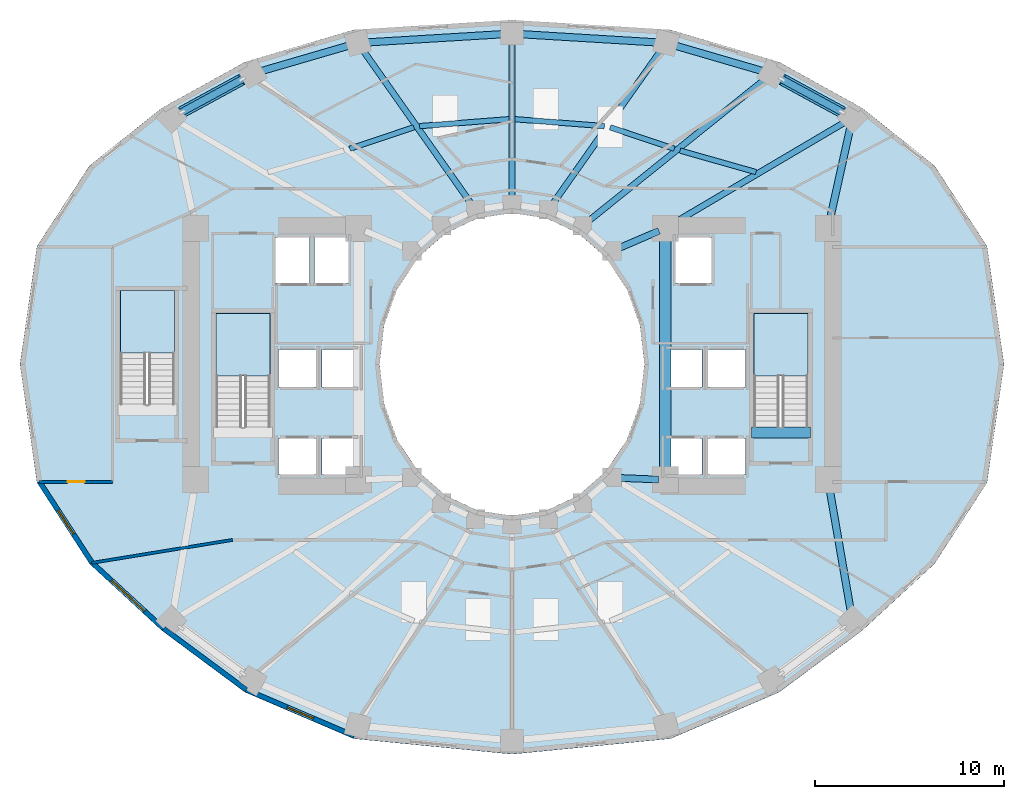
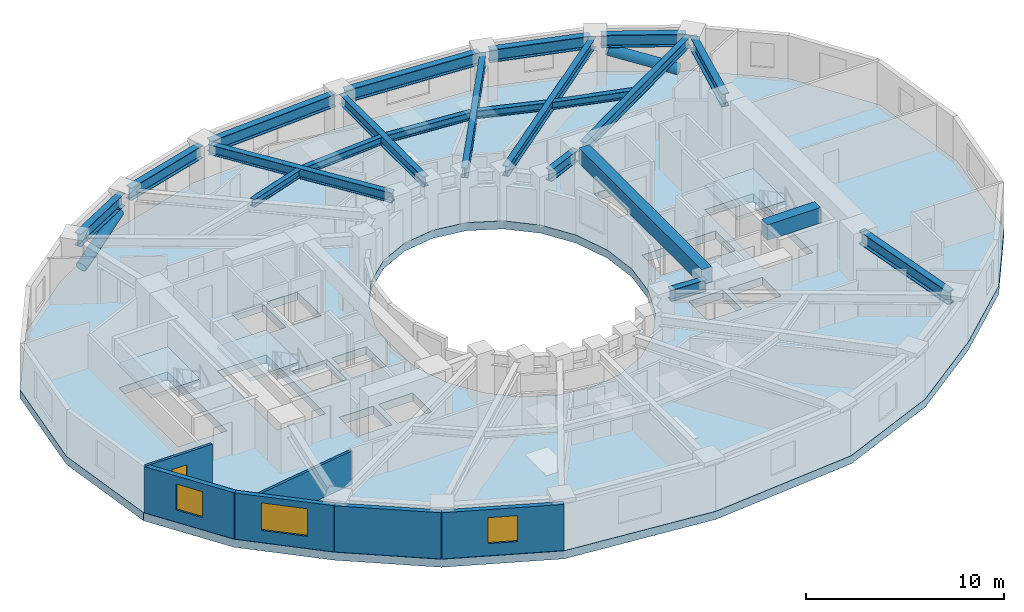
# One storey, part 2 of 9: 22 beams, 6 walls, 4 slabs, 3 windows, 2 members, 1 door, 4 openings, 3 elements without a shape of their own.
"""IFC4 building model written with IfcOpenShell, lengths in metres."""

from ifc_helpers import new_model, si_unit, direction, frame, frame_2d, origin, origin_2d, place, context, subcontext, project, spatial, polyline, rectangle, hollow_circle, i_section, outline, extrude, material, layer, layer_set, material_profile, profile_set, type_object, element, fill, aggregate, save


model = new_model("IFC4")

# Units and contexts
model_context = context("Model", 3, precision=1e-05, world=origin(), true_north=direction((0.0, 1.0)))
body_context = subcontext(model_context, "Body", "Model", "MODEL_VIEW")
ifc_project = project(units=[si_unit("LENGTHUNIT", "METRE"), si_unit("AREAUNIT", "SQUARE_METRE"), si_unit("VOLUMEUNIT", "CUBIC_METRE"), si_unit("PLANEANGLEUNIT", "RADIAN"), si_unit("MASSUNIT", "GRAM", prefix="KILO")], contexts=[model_context])

# Site, building, storey
site_placement = place(None, origin())
site = spatial("IfcSite", under=ifc_project, at=site_placement, CompositionType="ELEMENT")
building_placement = place(site_placement, origin())
building = spatial("IfcBuilding", under=site, at=building_placement, Name="Solvane Sanctuary Tower", CompositionType="ELEMENT")
storey_placement = place(building_placement, frame((0.0, 0.0, 55.5)))
storey = spatial("IfcBuildingStorey", under=building, at=storey_placement, Name="L16", CompositionType="ELEMENT", Elevation=55.5)

# Beams
ifc_material_1 = material(Name="Concrete C70/85", Category="concrete")
ifc_material_profile_1 = material_profile(ifc_material_1, rectangle(XDim=0.60009765625, YDim=0.949951171875, at=origin_2d()), Name="RC600X950")
ifc_profile_set_1 = profile_set([ifc_material_profile_1], Name="Concrete C70/85")
beam_type_1 = type_object("IfcBeamType", Name="Beam B-COUPLE RC600X950", PredefinedType="LINTEL", material=ifc_profile_set_1)
beam_1_placement = place(storey_placement, frame((40.10009765625, 17.35009765625, 2.625), z_axis=(0.0, 1.0, 0.0), x_axis=(-1.0, 0.0, 0.0)))
element("IfcBeam", 1, at=beam_1_placement, inside=storey, type_object=beam_type_1, Name="L16 East Core Coupling Lintel", PredefinedType="LINTEL", context=body_context, shape_type="SweptSolid", body=[
    extrude(rectangle(XDim=0.60009765625, YDim=0.949951171875, at=origin_2d()), origin(), (0.0, 0.0, 1.0), 12.39990234375),
])
beam_2_placement = place(storey_placement, frame((44.64990234375, 19.399169921875, 2.625), z_axis=(1.0, 0.0, 0.0), x_axis=(0.0, 1.0, 0.0)))
element("IfcBeam", 2, at=beam_2_placement, inside=storey, type_object=beam_type_1, Name="L16 ST-2 Stair Floor Landing Trimmer", PredefinedType="LINTEL", context=body_context, shape_type="SweptSolid", body=[
    extrude(rectangle(XDim=0.60009765625, YDim=0.949951171875, at=origin_2d()), origin(), (0.0, 0.0, 1.0), 3.1201171875),
])
ifc_material_2 = material(Name="Steel ASTM A992 Grade 50", Category="steel")
ifc_material_profile_2 = material_profile(ifc_material_2, i_section(OverallWidth=0.323974609375, OverallDepth=0.611083984375, WebThickness=0.0126953125, FlangeThickness=0.01904296875, FilletRadius=0.01611328125, at=origin_2d()), Name="W24X104")
ifc_profile_set_2 = profile_set([ifc_material_profile_2], Name="Steel ASTM A992 Grade 50")
beam_type_2 = type_object("IfcBeamType", Name="Beam B-RAD-Z1 W24X104", PredefinedType="BEAM", material=ifc_profile_set_2)
beam_3_placement = place(storey_placement, frame((40.41015625, 30.3828125, 2.572509765625), z_axis=(0.861291129905, 0.508111788435, 0.0), x_axis=(-0.508111788435, 0.861291129905, 0.0)))
element("IfcBeam", 3, at=beam_3_placement, inside=storey, type_object=beam_type_2, Name="L16 Radial Composite Floor Beam 01", PredefinedType="BEAM", context=body_context, shape_type="SweptSolid", body=[
    extrude(i_section(OverallWidth=0.323974609375, OverallDepth=0.611083984375, WebThickness=0.0126953125, FlangeThickness=0.01904296875, FilletRadius=0.01611328125, at=origin_2d()), origin(), (0.0, 0.0, 1.0), 10.844482421875),
])
beam_4_placement = place(storey_placement, frame((35.9482421875, 30.501953125, 2.572509765625), z_axis=(0.779526985436, 0.626368644631, 0.0), x_axis=(-0.626368644631, 0.779526985436, 0.0)))
element("IfcBeam", 4, at=beam_4_placement, inside=storey, type_object=beam_type_2, Name="L16 Radial Composite Floor Beam 02", PredefinedType="BEAM", context=body_context, shape_type="SweptSolid", body=[
    extrude(i_section(OverallWidth=0.323974609375, OverallDepth=0.611083984375, WebThickness=0.0126953125, FlangeThickness=0.01904296875, FilletRadius=0.01611328125, at=origin_2d()), origin(), (0.0, 0.0, 1.0), 12.2646484375),
])
beam_5_placement = place(storey_placement, frame((34.092041015625, 31.400390625, 2.572509765625), z_axis=(0.576233115666, 0.817285382476, 0.0), x_axis=(-0.817285382476, 0.576233115666, 0.0)))
element("IfcBeam", 5, at=beam_5_placement, inside=storey, type_object=beam_type_2, Name="L16 Radial Composite Floor Beam 03", PredefinedType="BEAM", context=body_context, shape_type="SweptSolid", body=[
    extrude(i_section(OverallWidth=0.323974609375, OverallDepth=0.611083984375, WebThickness=0.0126953125, FlangeThickness=0.01904296875, FilletRadius=0.01611328125, at=origin_2d()), origin(), (0.0, 0.0, 1.0), 10.224365234375),
])
beam_6_placement = place(storey_placement, frame((32.0, 31.739990234375, 2.572509765625), z_axis=(0.0, 1.0, 0.0), x_axis=(-1.0, 0.0, 0.0)))
element("IfcBeam", 6, at=beam_6_placement, inside=storey, type_object=beam_type_2, Name="L16 Radial Composite Floor Beam 04", PredefinedType="BEAM", context=body_context, shape_type="SweptSolid", body=[
    extrude(i_section(OverallWidth=0.323974609375, OverallDepth=0.611083984375, WebThickness=0.0126953125, FlangeThickness=0.01904296875, FilletRadius=0.01611328125, at=origin_2d()), origin(), (0.0, 0.0, 1.0), 8.4599609375),
])
beam_7_placement = place(storey_placement, frame((29.907958984375, 31.400390625, 2.572509765625), z_axis=(-0.576233115666, 0.817285382476, 0.0), x_axis=(-0.817285382476, -0.576233115666, 0.0)))
element("IfcBeam", 7, at=beam_7_placement, inside=storey, type_object=beam_type_2, Name="L16 Radial Composite Floor Beam 05", PredefinedType="BEAM", context=body_context, shape_type="SweptSolid", body=[
    extrude(i_section(OverallWidth=0.323974609375, OverallDepth=0.611083984375, WebThickness=0.0126953125, FlangeThickness=0.01904296875, FilletRadius=0.01611328125, at=origin_2d()), origin(), (0.0, 0.0, 1.0), 10.224365234375),
])
ifc_material_profile_3 = material_profile(ifc_material_2, i_section(OverallWidth=0.35498046875, OverallDepth=0.695068359375, WebThickness=0.015380859375, FlangeThickness=0.02490234375, FilletRadius=0.01806640625, at=origin_2d()), Name="W27X146")
ifc_profile_set_3 = profile_set([ifc_material_profile_3], Name="Steel ASTM A992 Grade 50")
beam_type_3 = type_object("IfcBeamType", Name="Beam B-RING-IN1 W27X146", PredefinedType="BEAM", material=ifc_profile_set_3)
beam_8_placement = place(storey_placement, frame((37.70654296875, 29.168212890625, 2.530517578125), z_axis=(0.918277080365, 0.395938383687, 0.0), x_axis=(-0.395938383687, 0.918277080365, 0.0)))
element("IfcBeam", 8, at=beam_8_placement, inside=storey, type_object=beam_type_3, Name="L16 Inner Light-Well Ring Beam IC01-CE4", PredefinedType="BEAM", context=body_context, shape_type="SweptSolid", body=[
    extrude(i_section(OverallWidth=0.35498046875, OverallDepth=0.695068359375, WebThickness=0.015380859375, FlangeThickness=0.02490234375, FilletRadius=0.01806640625, at=origin_2d()), origin(), (0.0, 0.0, 1.0), 2.246337890625),
])
beam_9_placement = place(storey_placement, frame((37.74462890625, 16.998291015625, 2.530517578125), z_axis=(0.999130953379, -0.041681386726, 0.0), x_axis=(0.041681386726, 0.999130953379, 0.0)))
element("IfcBeam", 9, at=beam_9_placement, inside=storey, type_object=beam_type_3, Name="L16 Inner Light-Well Ring Beam IC14-CE1", PredefinedType="BEAM", context=body_context, shape_type="SweptSolid", body=[
    extrude(i_section(OverallWidth=0.35498046875, OverallDepth=0.695068359375, WebThickness=0.015380859375, FlangeThickness=0.02490234375, FilletRadius=0.01806640625, at=origin_2d()), origin(), (0.0, 0.0, 1.0), 1.997314453125),
])
ifc_material_profile_4 = material_profile(ifc_material_2, i_section(OverallWidth=0.280029296875, OverallDepth=0.462890625, WebThickness=0.0107421875, FlangeThickness=0.017333984375, FilletRadius=0.013916015625, at=origin_2d()), Name="W18X76")
ifc_profile_set_4 = profile_set([ifc_material_profile_4], Name="Steel ASTM A992 Grade 50")
beam_type_4 = type_object("IfcBeamType", Name="Beam B-SEC-JOIST W18X76", PredefinedType="JOIST", material=ifc_profile_set_4)
beam_10_placement = place(storey_placement, frame((23.42041015625, 34.392822265625, 2.646484375), z_axis=(0.948259393162, 0.317496650816, 0.0), x_axis=(-0.317496650816, 0.948259393162, 0.0)))
element("IfcBeam", 10, at=beam_10_placement, inside=storey, type_object=beam_type_4, Name="L16 Secondary Circumferential Joist 06-05", PredefinedType="JOIST", context=body_context, shape_type="SweptSolid", body=[
    extrude(i_section(OverallWidth=0.280029296875, OverallDepth=0.462890625, WebThickness=0.0107421875, FlangeThickness=0.017333984375, FilletRadius=0.013916015625, at=origin_2d()), origin(), (0.0, 0.0, 1.0), 3.577880859375),
])
for number, where, z_axis, x_axis, name in (
    (11, (27.11865234375, 35.5908203125, 2.646484375), (0.996997851194, 0.077429223911, 0.0), (-0.077429223911, 0.996997851194, 0.0), "L16 Secondary Circumferential Joist 05-04"),
    (12, (32.156494140625, 35.957763671875, 2.646484375), (0.996997851194, -0.077429223911, 0.0), (0.077429223911, 0.996997851194, 0.0), "L16 Secondary Circumferential Joist 04-03"),
):
    element("IfcBeam", number, at=place(storey_placement, frame(where, z_axis=z_axis, x_axis=x_axis)), inside=storey, type_object=beam_type_4, Name=name, PredefinedType="JOIST", context=body_context, shape_type="SweptSolid", body=[
        extrude(i_section(OverallWidth=0.280029296875, OverallDepth=0.462890625, WebThickness=0.0107421875, FlangeThickness=0.017333984375, FilletRadius=0.013916015625, at=origin_2d()), origin(), (0.0, 0.0, 1.0), 4.739013671875),
    ])
beam_11_placement = place(storey_placement, frame((37.186767578125, 35.52880859375, 2.646484375), z_axis=(0.948259393162, -0.317496650816, 0.0), x_axis=(0.317496650816, 0.948259393162, 0.0)))
element("IfcBeam", 13, at=beam_11_placement, inside=storey, type_object=beam_type_4, Name="L16 Secondary Circumferential Joist 03-02", PredefinedType="JOIST", context=body_context, shape_type="SweptSolid", body=[
    extrude(i_section(OverallWidth=0.280029296875, OverallDepth=0.462890625, WebThickness=0.0107421875, FlangeThickness=0.017333984375, FilletRadius=0.013916015625, at=origin_2d()), origin(), (0.0, 0.0, 1.0), 3.577880859375),
])
beam_12_placement = place(storey_placement, frame((40.879638671875, 34.300048828125, 2.646484375), z_axis=(0.962003645121, -0.273036603358, 0.0), x_axis=(0.273036603358, 0.962003645121, 0.0)))
element("IfcBeam", 14, at=beam_12_placement, inside=storey, type_object=beam_type_4, Name="L16 Secondary Circumferential Joist 02-01", PredefinedType="JOIST", context=body_context, shape_type="SweptSolid", body=[
    extrude(i_section(OverallWidth=0.280029296875, OverallDepth=0.462890625, WebThickness=0.0107421875, FlangeThickness=0.017333984375, FilletRadius=0.013916015625, at=origin_2d()), origin(), (0.0, 0.0, 1.0), 4.174072265625),
])
ifc_material_profile_5 = material_profile(ifc_material_2, i_section(OverallWidth=0.382080078125, OverallDepth=0.779052734375, WebThickness=0.01806640625, FlangeThickness=0.030029296875, FilletRadius=0.02001953125, at=origin_2d()), Name="W30X191")
ifc_profile_set_5 = profile_set([ifc_material_profile_5], Name="Steel ASTM A992 Grade 50")
beam_type_5 = type_object("IfcBeamType", Name="Beam B-SPAND-Z1 W30X191", PredefinedType="SPANDREL", material=ifc_profile_set_5)
beam_13_placement = place(storey_placement, frame((14.254150390625, 36.169189453125, 2.488525390625), z_axis=(0.878060556078, 0.478549537519, 0.0), x_axis=(-0.478549537519, 0.878060556078, 0.0)))
element("IfcBeam", 15, at=beam_13_placement, inside=storey, type_object=beam_type_5, Name="L16 Perimeter Spandrel Beam TC07-TC06", PredefinedType="SPANDREL", context=body_context, shape_type="SweptSolid", body=[
    extrude(i_section(OverallWidth=0.382080078125, OverallDepth=0.779052734375, WebThickness=0.01806640625, FlangeThickness=0.030029296875, FilletRadius=0.02001953125, at=origin_2d()), origin(), (0.0, 0.0, 1.0), 4.296630859375),
])
beam_14_placement = place(storey_placement, frame((18.54150390625, 38.437744140625, 2.488525390625), z_axis=(0.960096217722, 0.279669899553, 0.0), x_axis=(-0.279669899553, 0.960096217722, 0.0)))
element("IfcBeam", 16, at=beam_14_placement, inside=storey, type_object=beam_type_5, Name="L16 Perimeter Spandrel Beam TC06-TC05", PredefinedType="SPANDREL", context=body_context, shape_type="SweptSolid", body=[
    extrude(i_section(OverallWidth=0.382080078125, OverallDepth=0.779052734375, WebThickness=0.01806640625, FlangeThickness=0.030029296875, FilletRadius=0.02001953125, at=origin_2d()), origin(), (0.0, 0.0, 1.0), 5.25439453125),
])
for number, where, z_axis, x_axis, name in (
    (17, (24.134521484375, 40.00244140625, 2.488525390625), (0.998162966989, 0.060586230553, 0.0), (-0.060586230553, 0.998162966989, 0.0), "L16 Perimeter Spandrel Beam TC05-TC04"),
    (18, (32.279541015625, 40.462890625, 2.488525390625), (0.998162966989, -0.060586230553, 0.0), (0.060586230553, 0.998162966989, 0.0), "L16 Perimeter Spandrel Beam TC04-TC03"),
):
    element("IfcBeam", number, at=place(storey_placement, frame(where, z_axis=z_axis, x_axis=x_axis)), inside=storey, type_object=beam_type_5, Name=name, PredefinedType="SPANDREL", context=body_context, shape_type="SweptSolid", body=[
        extrude(i_section(OverallWidth=0.382080078125, OverallDepth=0.779052734375, WebThickness=0.01806640625, FlangeThickness=0.030029296875, FilletRadius=0.02001953125, at=origin_2d()), origin(), (0.0, 0.0, 1.0), 7.599853515625),
    ])
beam_15_placement = place(storey_placement, frame((40.413818359375, 39.9072265625, 2.488525390625), z_axis=(0.960096217722, -0.279669899553, 0.0), x_axis=(0.279669899553, 0.960096217722, 0.0)))
element("IfcBeam", 19, at=beam_15_placement, inside=storey, type_object=beam_type_5, Name="L16 Perimeter Spandrel Beam TC03-TC02", PredefinedType="SPANDREL", context=body_context, shape_type="SweptSolid", body=[
    extrude(i_section(OverallWidth=0.382080078125, OverallDepth=0.779052734375, WebThickness=0.01806640625, FlangeThickness=0.030029296875, FilletRadius=0.02001953125, at=origin_2d()), origin(), (0.0, 0.0, 1.0), 5.25439453125),
])
beam_16_placement = place(storey_placement, frame((45.97314453125, 38.225341796875, 2.488525390625), z_axis=(0.878060556078, -0.478549537519, 0.0), x_axis=(0.478549537519, 0.878060556078, 0.0)))
element("IfcBeam", 20, at=beam_16_placement, inside=storey, type_object=beam_type_5, Name="L16 Perimeter Spandrel Beam TC02-TC01", PredefinedType="SPANDREL", context=body_context, shape_type="SweptSolid", body=[
    extrude(i_section(OverallWidth=0.382080078125, OverallDepth=0.779052734375, WebThickness=0.01806640625, FlangeThickness=0.030029296875, FilletRadius=0.02001953125, at=origin_2d()), origin(), (0.0, 0.0, 1.0), 4.296630859375),
])
beam_17_placement = place(storey_placement, frame((49.93115234375, 35.761962890625, 2.488525390625), z_axis=(-0.216123846648, -0.976365957472, 0.0), x_axis=(0.976365957472, -0.216123846648, 0.0)))
element("IfcBeam", 21, at=beam_17_placement, inside=storey, type_object=beam_type_5, Name="L16 Perimeter Spandrel Beam TC01-CE3", PredefinedType="SPANDREL", context=body_context, shape_type="SweptSolid", body=[
    extrude(i_section(OverallWidth=0.382080078125, OverallDepth=0.779052734375, WebThickness=0.01806640625, FlangeThickness=0.030029296875, FilletRadius=0.02001953125, at=origin_2d()), origin(), (0.0, 0.0, 1.0), 5.41650390625),
])
beam_18_placement = place(storey_placement, frame((49.94384765625, 9.722412109375, 2.488525390625), z_axis=(-0.170754238709, 0.985313650551, 0.0), x_axis=(-0.985313650551, -0.170754238709, 0.0)))
element("IfcBeam", 22, at=beam_18_placement, inside=storey, type_object=beam_type_5, Name="L16 Perimeter Spandrel Beam TC14-CE2", PredefinedType="SPANDREL", context=body_context, shape_type="SweptSolid", body=[
    extrude(i_section(OverallWidth=0.382080078125, OverallDepth=0.779052734375, WebThickness=0.01806640625, FlangeThickness=0.030029296875, FilletRadius=0.02001953125, at=origin_2d()), origin(), (0.0, 0.0, 1.0), 7.00439453125),
])

# Members
ifc_material_profile_6 = material_profile(ifc_material_2, hollow_circle(Radius=0.304931640625, WallThickness=0.01611328125, at=origin_2d()), Name="CHS610X16")
ifc_profile_set_6 = profile_set([ifc_material_profile_6], Name="Steel ASTM A992 Grade 50")
member_type = type_object("IfcMemberType", Name="Member M-TUBE-Z1 CHS610X16", PredefinedType="BRACE", material=ifc_profile_set_6)
for number, where, z_axis, x_axis, name in (
    (23, (49.43408203125, 36.339111328125, 0.604736328125), (-0.827739985201, 0.451112238875, 0.333682880648), (-0.478539548862, -0.878065999897, 0.0), "L16 Perimeter Braced-Tube Diagonal NE"),
    (24, (14.56591796875, 36.339111328125, 0.604736328125), (0.827739985201, 0.451112238875, 0.333682880648), (-0.478539548862, 0.878065999897, 0.0), "L16 Perimeter Braced-Tube Diagonal NW"),
):
    element("IfcMember", number, at=place(storey_placement, frame(where, z_axis=z_axis, x_axis=x_axis)), inside=storey, type_object=member_type, Name=name, PredefinedType="BRACE", context=body_context, shape_type="SweptSolid", body=[
        extrude(hollow_circle(Radius=0.304931640625, WallThickness=0.01611328125, at=origin_2d()), origin(), (0.0, 0.0, 1.0), 3.831787109375),
    ])

# Stair, slab
ifc_material_3 = material(Name="Concrete C45/55", Category="concrete")
stair_type = type_object("IfcStairType", Name="Stair ST-TOW", PredefinedType="HALF_TURN_STAIR", material=ifc_material_3)
stair_1_placement = place(storey_placement, origin())
stair_1 = element("IfcStair", 25, at=stair_1_placement, inside=storey, type_object=stair_type, Name="L16 Exit Stair ST-1 West Core", PredefinedType="HALF_TURN_STAIR")
ifc_layer_1 = layer(ifc_material_3, 0.199951171875, Name="Concrete C45/55")
ifc_layer_set_1 = layer_set([ifc_layer_1], Name="Concrete C45/55")
slab_type_1 = type_object("IfcSlabType", Name="Slab SL-LAND-180", PredefinedType="LANDING", material=ifc_layer_set_1)
slab_1_placement = place(storey_placement, frame((0.0, 0.0, 1.35009765625)))
slab_1 = element("IfcSlab", 26, at=slab_1_placement, type_object=slab_type_1, Name="ST-1 landing 1", PredefinedType="LANDING", context=body_context, shape_type="SweptSolid", body=[
    extrude(outline(polyline([(19.219970703125, 22.39990234375), (19.219970703125, 25.699951171875), (16.360107421875, 25.699951171875), (16.360107421875, 22.39990234375), (19.219970703125, 22.39990234375)])), origin(), (0.0, 0.0, 1.0), 0.199951171875),
])
aggregate(stair_1, [slab_1])

stair_2_placement = place(storey_placement, origin())
stair_2 = element("IfcStair", 27, at=stair_2_placement, inside=storey, type_object=stair_type, Name="L16 Exit Stair ST-2 East Core", PredefinedType="HALF_TURN_STAIR")
slab_2_placement = place(storey_placement, frame((0.0, 0.0, 1.35009765625)))
slab_2 = element("IfcSlab", 28, at=slab_2_placement, type_object=slab_type_1, Name="ST-2 landing 1", PredefinedType="LANDING", context=body_context, shape_type="SweptSolid", body=[
    extrude(outline(polyline([(47.639892578125, 22.39990234375), (47.639892578125, 25.699951171875), (44.780029296875, 25.699951171875), (44.780029296875, 22.39990234375), (47.639892578125, 22.39990234375)])), origin(), (0.0, 0.0, 1.0), 0.199951171875),
])
aggregate(stair_2, [slab_2])

stair_3_placement = place(storey_placement, origin())
stair_3 = element("IfcStair", 29, at=stair_3_placement, inside=storey, type_object=stair_type, Name="L16 Exit Stair ST-3 Pilgrim Tower Stair", PredefinedType="HALF_TURN_STAIR")
slab_3_placement = place(storey_placement, frame((0.0, 0.0, 1.35009765625)))
slab_3 = element("IfcSlab", 30, at=slab_3_placement, type_object=slab_type_1, Name="ST-3 landing 1", PredefinedType="LANDING", context=body_context, shape_type="SweptSolid", body=[
    extrude(outline(polyline([(14.159912109375, 23.60009765625), (14.159912109375, 26.89990234375), (11.300048828125, 26.89990234375), (11.300048828125, 23.60009765625), (14.159912109375, 23.60009765625)])), origin(), (0.0, 0.0, 1.0), 0.199951171875),
])
aggregate(stair_3, [slab_3])

# Slab
ifc_material_4 = material(Name="Concrete C60/75", Category="concrete")
ifc_layer_2 = layer(ifc_material_4, 0.5, Name="Concrete C60/75")
ifc_layer_set_2 = layer_set([ifc_layer_2], Name="Concrete C60/75")
slab_type_2 = type_object("IfcSlabType", Name="Slab SL-XFER-500", PredefinedType="FLOOR", material=ifc_layer_set_2)
slab_4_placement = place(storey_placement, frame((0.0, 0.0, -0.5)))
element("IfcSlab", 31, at=slab_4_placement, inside=storey, type_object=slab_type_2, Name="L16 Primary Structural Slab", PredefinedType="FLOOR", context=body_context, shape_type="SweptSolid", body=[
    extrude(outline(polyline([(58.0, 23.0), (57.101806640625, 29.25048828125), (54.31396484375, 33.516845703125), (50.504150390625, 36.547607421875), (46.1181640625, 38.977294921875), (40.376708984375, 40.6806640625), (32.0, 41.199951171875), (23.623291015625, 40.6806640625), (17.8818359375, 38.977294921875), (13.495849609375, 36.547607421875), (9.68603515625, 33.516845703125), (6.898193359375, 29.25048828125), (6.0, 23.0), (6.898193359375, 16.74951171875), (9.68603515625, 12.4482421875), (13.495849609375, 8.933837890625), (17.8818359375, 5.677978515625), (23.623291015625, 3.22119140625), (32.0, 2.39990234375), (40.376708984375, 3.22119140625), (46.1181640625, 5.677978515625), (50.504150390625, 8.933837890625), (54.31396484375, 12.4482421875), (57.101806640625, 16.74951171875), (58.0, 23.0)]), holes=[polyline([(38.761474609375, 20.929443359375), (38.062255859375, 19.0), (36.94970703125, 17.343017578125), (35.5, 16.07177734375), (33.811767578125, 15.272705078125), (32.0, 15.0), (30.188232421875, 15.272705078125), (28.5, 16.07177734375), (27.05029296875, 17.343017578125), (25.937744140625, 19.0), (25.238525390625, 20.929443359375), (25.0, 23.0), (25.238525390625, 25.070556640625), (25.937744140625, 27.0), (27.05029296875, 28.656982421875), (28.5, 29.92822265625), (30.188232421875, 30.727294921875), (32.0, 31.0), (33.811767578125, 30.727294921875), (35.5, 29.92822265625), (36.94970703125, 28.656982421875), (38.062255859375, 27.0), (38.761474609375, 25.070556640625), (39.0, 23.0), (38.761474609375, 20.929443359375)]), polyline([(16.360107421875, 19.699951171875), (16.360107421875, 25.699951171875), (19.219970703125, 25.699951171875), (19.219970703125, 19.699951171875), (16.360107421875, 19.699951171875)]), polyline([(44.780029296875, 19.699951171875), (44.780029296875, 25.699951171875), (47.639892578125, 25.699951171875), (47.639892578125, 19.699951171875), (44.780029296875, 19.699951171875)]), polyline([(11.300048828125, 20.89990234375), (11.300048828125, 26.89990234375), (14.159912109375, 26.89990234375), (14.159912109375, 20.89990234375), (11.300048828125, 20.89990234375)]), polyline([(19.64990234375, 19.080078125), (21.64990234375, 19.080078125), (21.64990234375, 17.179931640625), (19.64990234375, 17.179931640625), (19.64990234375, 19.080078125)]), polyline([(21.949951171875, 19.080078125), (23.949951171875, 19.080078125), (23.949951171875, 17.179931640625), (21.949951171875, 17.179931640625), (21.949951171875, 19.080078125)]), polyline([(40.050048828125, 19.080078125), (42.050048828125, 19.080078125), (42.050048828125, 17.179931640625), (40.050048828125, 17.179931640625), (40.050048828125, 19.080078125)]), polyline([(42.35009765625, 19.080078125), (44.35009765625, 19.080078125), (44.35009765625, 17.179931640625), (42.35009765625, 17.179931640625), (42.35009765625, 19.080078125)]), polyline([(19.64990234375, 23.800048828125), (21.64990234375, 23.800048828125), (21.64990234375, 21.800048828125), (19.64990234375, 21.800048828125), (19.64990234375, 23.800048828125)]), polyline([(42.35009765625, 23.800048828125), (44.35009765625, 23.800048828125), (44.35009765625, 21.800048828125), (42.35009765625, 21.800048828125), (42.35009765625, 23.800048828125)]), polyline([(21.949951171875, 23.800048828125), (23.949951171875, 23.800048828125), (23.949951171875, 21.800048828125), (21.949951171875, 21.800048828125), (21.949951171875, 23.800048828125)]), polyline([(40.050048828125, 23.800048828125), (42.050048828125, 23.800048828125), (42.050048828125, 21.800048828125), (40.050048828125, 21.800048828125), (40.050048828125, 23.800048828125)]), polyline([(19.5, 29.699951171875), (21.300048828125, 29.699951171875), (21.300048828125, 27.300048828125), (19.5, 27.300048828125), (19.5, 29.699951171875)]), polyline([(21.550048828125, 29.699951171875), (23.35009765625, 29.699951171875), (23.35009765625, 27.300048828125), (21.550048828125, 27.300048828125), (21.550048828125, 29.699951171875)]), polyline([(40.64990234375, 29.699951171875), (42.550048828125, 29.699951171875), (42.550048828125, 27.300048828125), (40.64990234375, 27.300048828125), (40.64990234375, 29.699951171875)])]), origin(), (0.0, 0.0, 1.0), 0.5),
])

# Wall, opening, door
ifc_material_5 = material(Name="Acoustic Gypsum Partition Board")
ifc_layer_3 = layer(ifc_material_5, 0.14990234375, Name="Acoustic Gypsum Partition Board")
ifc_layer_set_3 = layer_set([ifc_layer_3], Name="Acoustic Gypsum Partition Board")
wall_type_1 = type_object("IfcWallType", Name="Wall W-CORR-150", PredefinedType="PARTITIONING", material=ifc_layer_set_3)
wall_1_placement = place(storey_placement, frame((7.013671875, 16.788330078125, 0.0), z_axis=(0.0, 0.0, 1.0), x_axis=(1.0, 0.0, 0.0)))
wall_1 = element("IfcWall", 32, at=wall_1_placement, inside=storey, type_object=wall_type_1, Name="L16 West Shoulder South Wall", PredefinedType="PARTITIONING", context=body_context, shape_type="SweptSolid", body=[
    extrude(rectangle(XDim=3.8662109375, YDim=0.14990234375, at=frame_2d((1.93310546875, 0.0))), origin(), (0.0, 0.0, 1.0), 2.85498046875),
])
opening_1_placement = place(wall_1_placement, frame((1.503173828125, 0.0, 0.0)))
opening_1 = element("IfcOpeningElement", 33, at=opening_1_placement, cuts=wall_1, Name="Opening D-L16-10", PredefinedType="OPENING", context=body_context, shape_type="SweptSolid", body=[
    extrude(rectangle(XDim=0.89990234375, YDim=2.10009765625, at=frame_2d((0.449951171875, 1.050048828125))), frame((0.0, 0.0849609375, 0.0), z_axis=(0.0, -1.0, 0.0), x_axis=(1.0, 0.0, 0.0)), (0.0, 0.0, 1.0), 0.169921875),
])
ifc_material_6 = material(Name="Engineered Tropical Hardwood", Category="wood")
door_type = type_object("IfcDoorType", Name="Door D-WET-900", OperationType="NOTDEFINED", PredefinedType="DOOR", material=ifc_material_6)
door_placement = place(opening_1_placement, origin())
door = element("IfcDoor", 34, at=door_placement, inside=storey, type_object=door_type, Name="L16 West Shoulder South Door", OperationType="SINGLE_SWING_RIGHT", OverallHeight=2.10009765625, OverallWidth=0.89990234375, PredefinedType="DOOR", context=body_context, shape_type="SweptSolid", body=[
    extrude(rectangle(XDim=0.89990234375, YDim=2.10009765625, at=frame_2d((0.449951171875, 1.050048828125))), frame((0.0, 0.02490234375, 0.0), z_axis=(0.0, -1.0, 0.0), x_axis=(1.0, 0.0, 0.0)), (0.0, 0.0, 1.0), 0.050048828125),
])
fill(opening_1, door)

# Wall
wall_2_placement = place(storey_placement, frame((17.249267578125, 13.72802734375, 0.0), z_axis=(0.0, 0.0, 1.0), x_axis=(-0.98693078372, -0.161144742846, 0.0)))
element("IfcWall", 35, at=wall_2_placement, inside=storey, type_object=wall_type_1, Name="L16 SW Corner Wing Wall", PredefinedType="PARTITIONING", context=body_context, shape_type="SweptSolid", body=[
    extrude(rectangle(XDim=7.55712890625, YDim=0.14990234375, at=frame_2d((3.778564453125, 0.0))), origin(), (0.0, 0.0, 1.0), 2.069091796875),
])

# Wall, opening, window
ifc_material_7 = material(Name="Precast concrete C40/50", Category="concrete")
ifc_layer_4 = layer(ifc_material_7, 0.260009765625, Name="Precast concrete C40/50")
ifc_layer_set_4 = layer_set([ifc_layer_4], Name="Precast concrete C40/50")
wall_type_2 = type_object("IfcWallType", Name="Wall W-EXT-250", PredefinedType="STANDARD", material=ifc_layer_set_4)
wall_3_placement = place(storey_placement, frame((7.033447265625, 16.794677734375, 0.0), z_axis=(0.0, 0.0, 1.0), x_axis=(0.544578722263, -0.838709732421, 0.0)))
wall_3 = element("IfcWall", 36, at=wall_3_placement, inside=storey, type_object=wall_type_2, Name="L16 Ceramic-Printed Facade Wall 13", PredefinedType="STANDARD", context=body_context, shape_type="SweptSolid", body=[
    extrude(rectangle(XDim=5.091552734375, YDim=0.260009765625, at=frame_2d((2.5458984375, 0.0))), origin(), (0.0, 0.0, 1.0), 2.85009765625),
])
opening_2_placement = place(wall_3_placement, frame((1.795654296875, 0.0, 0.75)))
opening_2 = element("IfcOpeningElement", 37, at=opening_2_placement, cuts=wall_3, Name="Opening WN-OPER-1500", PredefinedType="OPENING", context=body_context, shape_type="SweptSolid", body=[
    extrude(rectangle(XDim=1.5, YDim=1.60009765625, at=frame_2d((0.75, 0.800048828125))), frame((0.0, 0.139892578125, 0.0), z_axis=(0.0, -1.0, 0.0), x_axis=(1.0, 0.0, 0.0)), (0.0, 0.0, 1.0), 0.280029296875),
])
ifc_material_8 = material(Name="Dark Ceramic-Fritted Low-E Glass", Category="glass")
window_type_1 = type_object("IfcWindowType", Name="Window WN-OPER-1500", PartitioningType="SINGLE_PANEL", PredefinedType="WINDOW", material=ifc_material_8)
window_1_placement = place(opening_2_placement, origin())
window_1 = element("IfcWindow", 38, at=window_1_placement, inside=storey, type_object=window_type_1, Name="L16 Operable Facade Window 13", OverallHeight=1.60009765625, OverallWidth=1.5, PartitioningType="SINGLE_PANEL", PredefinedType="WINDOW", context=body_context, shape_type="SweptSolid", body=[
    extrude(rectangle(XDim=1.5, YDim=1.60009765625, at=frame_2d((0.75, 0.800048828125))), frame((0.0, 0.030029296875, 0.0), z_axis=(0.0, -1.0, 0.0), x_axis=(1.0, 0.0, 0.0)), (0.0, 0.0, 1.0), 0.06005859375),
])
fill(opening_2, window_1)

wall_4_placement = place(storey_placement, frame((9.80615234375, 12.5244140625, 0.0), z_axis=(0.0, 0.0, 1.0), x_axis=(0.735655109293, -0.67735630223, 0.0)))
wall_4 = element("IfcWall", 39, at=wall_4_placement, inside=storey, type_object=wall_type_2, Name="L16 Ceramic-Printed Facade Wall 14", PredefinedType="STANDARD", context=body_context, shape_type="SweptSolid", body=[
    extrude(rectangle(XDim=5.15087890625, YDim=0.260009765625, at=frame_2d((2.575439453125, 0.0))), origin(), (0.0, 0.0, 1.0), 2.85009765625),
])
opening_3_placement = place(wall_4_placement, frame((1.37548828125, 0.0, 0.75)))
opening_3 = element("IfcOpeningElement", 40, at=opening_3_placement, cuts=wall_4, Name="Opening WN-RIB-2400", PredefinedType="OPENING", context=body_context, shape_type="SweptSolid", body=[
    extrude(rectangle(XDim=2.39990234375, YDim=1.699951171875, at=frame_2d((1.199951171875, 0.85009765625))), frame((0.0, 0.139892578125, 0.0), z_axis=(0.0, -1.0, 0.0), x_axis=(1.0, 0.0, 0.0)), (0.0, 0.0, 1.0), 0.280029296875),
])
window_type_2 = type_object("IfcWindowType", Name="Window WN-RIB-2400", PartitioningType="SINGLE_PANEL", PredefinedType="WINDOW", material=ifc_material_8)
window_2_placement = place(opening_3_placement, origin())
window_2 = element("IfcWindow", 41, at=window_2_placement, inside=storey, type_object=window_type_2, Name="L16 Operable Facade Window 14", OverallHeight=1.699951171875, OverallWidth=2.39990234375, PartitioningType="SINGLE_PANEL", PredefinedType="WINDOW", context=body_context, shape_type="SweptSolid", body=[
    extrude(rectangle(XDim=2.39990234375, YDim=1.699951171875, at=frame_2d((1.199951171875, 0.85009765625))), frame((0.0, 0.030029296875, 0.0), z_axis=(0.0, -1.0, 0.0), x_axis=(1.0, 0.0, 0.0)), (0.0, 0.0, 1.0), 0.06005859375),
])
fill(opening_3, window_2)

# Wall
wall_5_placement = place(storey_placement, frame((13.595458984375, 9.035400390625, 0.0), z_axis=(0.0, 0.0, 1.0), x_axis=(0.803477531792, -0.595335078679, 0.0)))
element("IfcWall", 42, at=wall_5_placement, inside=storey, type_object=wall_type_2, Name="L16 Ceramic-Printed Facade Wall 15", PredefinedType="STANDARD", context=body_context, shape_type="SweptSolid", body=[
    extrude(rectangle(XDim=5.4296875, YDim=0.260009765625, at=frame_2d((2.71484375, 0.0))), origin(), (0.0, 0.0, 1.0), 2.85009765625),
])

# Wall, opening, window
wall_6_placement = place(storey_placement, frame((17.9580078125, 5.802978515625, 0.0), z_axis=(0.0, 0.0, 1.0), x_axis=(0.919612132394, -0.39282760335, 0.0)))
wall_6 = element("IfcWall", 43, at=wall_6_placement, inside=storey, type_object=wall_type_2, Name="L16 Ceramic-Printed Facade Wall 16", PredefinedType="STANDARD", context=body_context, shape_type="SweptSolid", body=[
    extrude(rectangle(XDim=6.20947265625, YDim=0.260009765625, at=frame_2d((3.104736328125, 0.0))), origin(), (0.0, 0.0, 1.0), 2.85009765625),
])
opening_4_placement = place(wall_6_placement, frame((2.354736328125, 0.0, 0.75)))
opening_4 = element("IfcOpeningElement", 44, at=opening_4_placement, cuts=wall_6, Name="Opening WN-OPER-1500", PredefinedType="OPENING", context=body_context, shape_type="SweptSolid", body=[
    extrude(rectangle(XDim=1.5, YDim=1.60009765625, at=frame_2d((0.75, 0.800048828125))), frame((0.0, 0.139892578125, 0.0), z_axis=(0.0, -1.0, 0.0), x_axis=(1.0, 0.0, 0.0)), (0.0, 0.0, 1.0), 0.280029296875),
])
window_3_placement = place(opening_4_placement, origin())
window_3 = element("IfcWindow", 45, at=window_3_placement, inside=storey, type_object=window_type_1, Name="L16 Operable Facade Window 16", OverallHeight=1.60009765625, OverallWidth=1.5, PartitioningType="SINGLE_PANEL", PredefinedType="WINDOW", context=body_context, shape_type="SweptSolid", body=[
    extrude(rectangle(XDim=1.5, YDim=1.60009765625, at=frame_2d((0.75, 0.800048828125))), frame((0.0, 0.030029296875, 0.0), z_axis=(0.0, -1.0, 0.0), x_axis=(1.0, 0.0, 0.0)), (0.0, 0.0, 1.0), 0.06005859375),
])
fill(opening_4, window_3)

save(model, "model.ifc")
